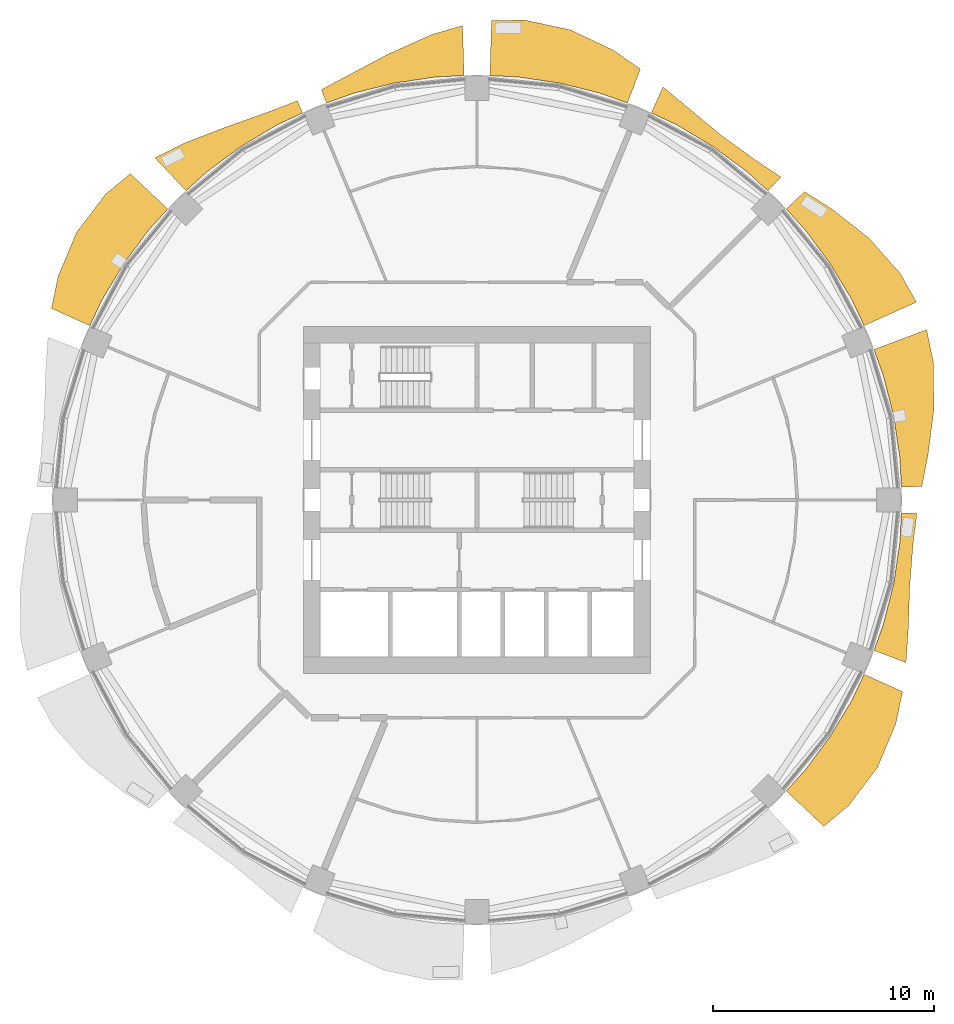
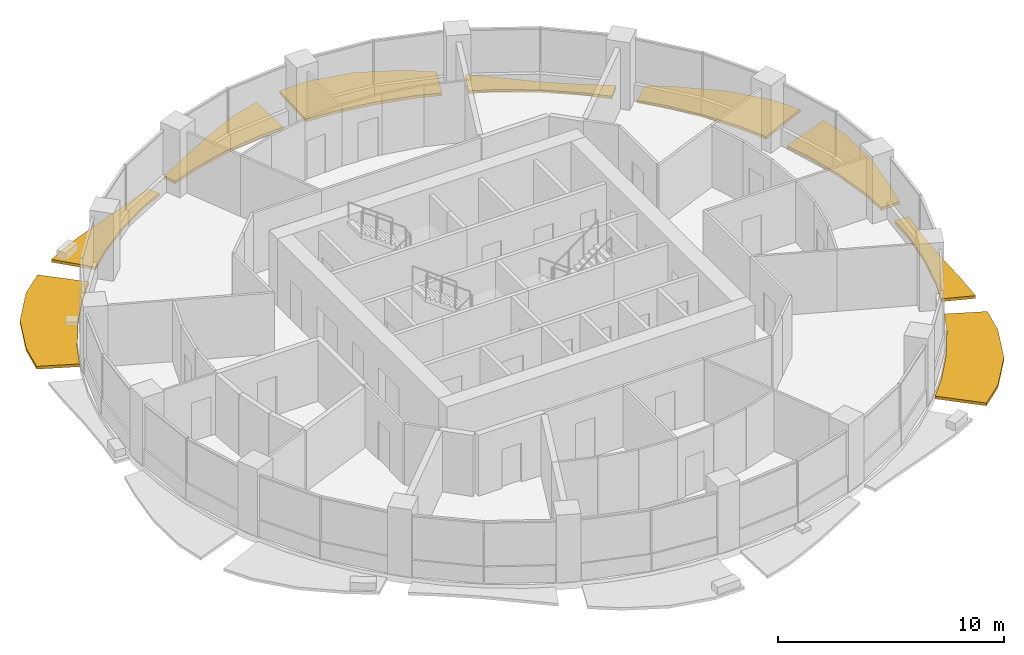
# One storey, part 13 of 14: 9 shading devices.
"""IFC4 building model written with IfcOpenShell, lengths in metres."""

import ifcopenshell
import ifcopenshell.guid

model = None  # the IFC model being written
_history = None  # IfcOwnerHistory: only IFC2X3 demands one
_inside = {}  # id of a spatial element -> (the spatial element, [elements in it])
_under = {}  # id of a project, library or spatial element -> (it, [spatial elements below it])
_declared = {}  # id of a project -> (the project, [libraries it declares])
_typed = {}  # id of a type object -> (the type object, [elements of that type])
_made_of = {}  # id of a material, layer set ... -> (it, [elements and type objects made of it])


def new_model(schema):
    """Start an empty IFC model of exactly this schema.

    Asked for "IFC4X3", IfcOpenShell would pick the latest addendum, in which some entities
    have other attributes; the version numbers below select the first issue.
    IFC2X3 requires an IfcOwnerHistory on every rooted entity: one is made here for all.
    """
    global model, _history
    if schema == "IFC4X3":
        model = ifcopenshell.file(schema_version=(4, 3, 0, 0))
    else:
        model = ifcopenshell.file(schema=schema)
    _inside.clear()
    _under.clear()
    _declared.clear()
    _typed.clear()
    _made_of.clear()
    _history = None
    if model.schema == "IFC2X3":
        org = make("IfcOrganization", Name="unknown")
        user = make(
            "IfcPersonAndOrganization",
            ThePerson=make("IfcPerson", FamilyName="unknown"),
            TheOrganization=org,
        )
        app = make(
            "IfcApplication",
            ApplicationDeveloper=org,
            Version="unknown",
            ApplicationFullName="unknown",
            ApplicationIdentifier="unknown",
        )
        _history = make(
            "IfcOwnerHistory",
            OwningUser=user,
            OwningApplication=app,
            ChangeAction="ADDED",
            CreationDate=0,
        )
    return model


def make(cls, **values):
    """One entity of the class cls with the attributes given. An attribute that is None is left unset."""
    return model.create_entity(
        cls, **{name: value for name, value in values.items() if value is not None}
    )


def rooted(cls, **values):
    """An entity with a GlobalId (a new one), such as an element, a storey or a relation."""
    return make(cls, GlobalId=ifcopenshell.guid.new(), OwnerHistory=_history, **values)


def si_unit(unit_type, name, prefix=None):
    """IfcSIUnit, for example si_unit("LENGTHUNIT", "METRE", prefix="MILLI")."""
    return make("IfcSIUnit", UnitType=unit_type, Prefix=prefix, Name=name)


def assignment(units):
    """IfcUnitAssignment: the units of a project."""
    return None if units is None else make("IfcUnitAssignment", Units=units)


def point(xyz):
    """IfcCartesianPoint."""
    return None if xyz is None else make("IfcCartesianPoint", Coordinates=xyz)


def direction(xyz):
    """IfcDirection."""
    return None if xyz is None else make("IfcDirection", DirectionRatios=xyz)


def frame(location, z_axis=None, x_axis=None):
    """IfcAxis2Placement3D, a coordinate frame: its origin and axes. An axis left out is left unset."""
    return make(
        "IfcAxis2Placement3D",
        Location=point(location),
        Axis=direction(z_axis),
        RefDirection=direction(x_axis),
    )


def origin():
    """The frame at (0, 0, 0) with its axes left unset."""
    return frame((0.0, 0.0, 0.0))


def place(relative_to, where):
    """IfcLocalPlacement: puts the frame where relative to a parent placement (None: the world)."""
    return make(
        "IfcLocalPlacement", PlacementRelTo=relative_to, RelativePlacement=where
    )


def context(
    kind, dimensions, precision=None, world=None, true_north=None, identifier=None
):
    """IfcGeometricRepresentationContext, for example the 3D "Model" context."""
    return make(
        "IfcGeometricRepresentationContext",
        ContextIdentifier=identifier,
        ContextType=kind,
        CoordinateSpaceDimension=dimensions,
        Precision=precision,
        WorldCoordinateSystem=world,
        TrueNorth=true_north,
    )


def subcontext(parent, identifier, kind, view, scale=None):
    """IfcGeometricRepresentationSubContext, for example "Body" below "Model"."""
    return make(
        "IfcGeometricRepresentationSubContext",
        ContextIdentifier=identifier,
        ContextType=kind,
        ParentContext=parent,
        TargetScale=scale,
        TargetView=view,
    )


def project(units=None, contexts=None):
    """IfcProject with its units and contexts."""
    return rooted(
        "IfcProject",
        Name="project",
        RepresentationContexts=contexts,
        UnitsInContext=assignment(units),
    )


def spatial(cls, under=None, at=None, **own):
    """A site, building, storey or space (cls), placed at a placement, below another one or the project."""
    s = rooted(cls, ObjectPlacement=at, **own)
    if under is not None:
        _under.setdefault(under.id(), (under, []))[1].append(s)
    return s


def polyline(points):
    """IfcPolyline through the points."""
    return make("IfcPolyline", Points=[point(p) for p in points])


def outline(outer, holes=None, kind="AREA"):
    """IfcArbitraryClosedProfileDef: a profile drawn as a closed curve; with holes, ...WithVoids."""
    if holes is None:
        return make("IfcArbitraryClosedProfileDef", ProfileType=kind, OuterCurve=outer)
    return make(
        "IfcArbitraryProfileDefWithVoids",
        ProfileType=kind,
        OuterCurve=outer,
        InnerCurves=holes,
    )


def extrude(swept, where, along, depth):
    """IfcExtrudedAreaSolid: the profile swept, set in the frame where, extruded along a direction by depth."""
    return make(
        "IfcExtrudedAreaSolid",
        SweptArea=swept,
        Position=where,
        ExtrudedDirection=direction(along),
        Depth=depth,
    )


def shape(context_of_items, identifier, shape_type, items):
    """IfcShapeRepresentation: the items that make up one representation, for example the "Body"."""
    return make(
        "IfcShapeRepresentation",
        ContextOfItems=context_of_items,
        RepresentationIdentifier=identifier,
        RepresentationType=shape_type,
        Items=items,
    )


def material(Name=None, Category=None):
    """IfcMaterial."""
    return make("IfcMaterial", Name=Name, Category=Category)


def made_of(thing, what):
    """Note that an element or type object is made of a material, layer set ...; save() writes the relation."""
    if what is not None:
        _made_of.setdefault(what.id(), (what, []))[1].append(thing)
    return thing


def type_object(cls, material=None, **own):
    """A type object (cls), such as IfcWallType, which elements share."""
    return made_of(rooted(cls, **own), material)


def element(
    cls,
    number,
    at=None,
    inside=None,
    cuts=None,
    type_object=None,
    material=None,
    context=None,
    identifier="Body",
    shape_type=None,
    held_by="IfcProductDefinitionShape",
    body=None,
    shapes=None,
    **own,
):
    """One element of the class cls, such as IfcWall. Its Tag is "e" and its number.

    at: its placement. inside: the storey or other place that contains it. cuts: it is an
    opening in that element (IfcRelVoidsElement). A single representation is given by context,
    identifier, shape_type and body (its items); several are given by shapes. held_by: the class
    of the entity that holds the representations. save() writes the other relations.
    """
    e = rooted(cls, Tag="e%d" % number, ObjectPlacement=at, **own)
    if body is not None:
        shapes = [shape(context, identifier, shape_type, body)]
    if shapes is not None:
        e.Representation = make(held_by, Representations=shapes)
    if inside is not None:
        _inside.setdefault(inside.id(), (inside, []))[1].append(e)
    if cuts is not None:
        rooted(
            "IfcRelVoidsElement", RelatingBuildingElement=cuts, RelatedOpeningElement=e
        )
    if type_object is not None:
        _typed.setdefault(type_object.id(), (type_object, []))[1].append(e)
    return made_of(e, material)


def aggregate(whole, parts):
    """IfcRelAggregates: a whole, such as a stair, and the parts it consists of."""
    return rooted("IfcRelAggregates", RelatingObject=whole, RelatedObjects=parts)


def save(model, path):
    """Write the relations noted so far, then the file.

    IfcRelAggregates (storeys below a building ...), IfcRelContainedInSpatialStructure (elements
    in a storey), IfcRelDefinesByType, IfcRelAssociatesMaterial and IfcRelDeclares: one each for
    every whole, place, type object, material and project.
    """
    for whole, parts in _under.values():
        aggregate(whole, parts)
    for where, things in _inside.values():
        rooted(
            "IfcRelContainedInSpatialStructure",
            RelatedElements=things,
            RelatingStructure=where,
        )
    for kind, things in _typed.values():
        rooted("IfcRelDefinesByType", RelatedObjects=things, RelatingType=kind)
    for what, things in _made_of.values():
        rooted("IfcRelAssociatesMaterial", RelatedObjects=things, RelatingMaterial=what)
    for by, libraries in _declared.values():
        rooted("IfcRelDeclares", RelatingContext=by, RelatedDefinitions=libraries)
    model.write(path)


model = new_model("IFC4")

# Units and contexts
model_context = context("Model", 3, precision=1e-05, world=origin(), true_north=direction((0.0, 1.0)))
body_context = subcontext(model_context, "Body", "Model", "MODEL_VIEW")
ifc_project = project(units=[si_unit("LENGTHUNIT", "METRE"), si_unit("AREAUNIT", "SQUARE_METRE"), si_unit("VOLUMEUNIT", "CUBIC_METRE"), si_unit("PLANEANGLEUNIT", "RADIAN"), si_unit("MASSUNIT", "GRAM", prefix="KILO")], contexts=[model_context])

# Site, building, storey
site_placement = place(None, origin())
site = spatial("IfcSite", under=ifc_project, at=site_placement, CompositionType="ELEMENT")
building_placement = place(site_placement, origin())
building = spatial("IfcBuilding", under=site, at=building_placement, Name="Polderwave Tower", CompositionType="ELEMENT")
storey_placement = place(building_placement, frame((0.0, 0.0, 101.949951171875)))
storey = spatial("IfcBuildingStorey", under=building, at=storey_placement, Name="L26", CompositionType="ELEMENT", Elevation=101.949951171875)

# Shading devices
ifc_material = material(Name="Terracotta", Category="masonry")
shading_device_type = type_object("IfcShadingDeviceType", Name="Terracotta sunshade band", PredefinedType="USERDEFINED", material=ifc_material)
shading_device_1_placement = place(storey_placement, frame((0.0, 0.0, -0.349853515625)))
element("IfcShadingDevice", 1, at=shading_device_1_placement, inside=storey, type_object=shading_device_type, Name="Sunshade band L26 1", ObjectType="SUNSHADE", PredefinedType="USERDEFINED", context=body_context, shape_type="SweptSolid", body=[
    extrude(outline(polyline([(19.2412109375, 0.583984375), (19.17724609375, 1.888916015625), (18.899658203125, 3.759521484375), (18.440185546875, 5.59375), (18.000244140625, 6.82373046875), (20.384765625, 7.727783203125), (20.6884765625, 6.27587890625), (20.719482421875, 4.121337890625), (20.4462890625, 2.013916015625), (20.168212890625, 0.6123046875), (19.2412109375, 0.583984375)])), origin(), (0.0, 0.0, 1.0), 0.14990234375),
])
shading_device_2_placement = place(storey_placement, frame((0.0, 0.0, -0.349853515625)))
element("IfcShadingDevice", 2, at=shading_device_2_placement, inside=storey, type_object=shading_device_type, Name="Sunshade band L26 2", ObjectType="SUNSHADE", PredefinedType="USERDEFINED", context=body_context, shape_type="SweptSolid", body=[
    extrude(outline(polyline([(17.552978515625, 7.90283203125), (16.99462890625, 9.083740234375), (16.0224609375, 10.705810546875), (14.89599609375, 12.224853515625), (14.0185546875, 13.192626953125), (14.854736328125, 13.9794921875), (16.0849609375, 13.20068359375), (17.77099609375, 11.874267578125), (19.197998046875, 10.26171875), (19.9228515625, 8.9697265625), (17.552978515625, 7.90283203125)])), origin(), (0.0, 0.0, 1.0), 0.14990234375),
])
shading_device_3_placement = place(storey_placement, frame((0.0, 0.0, -0.349853515625)))
element("IfcShadingDevice", 3, at=shading_device_3_placement, inside=storey, type_object=shading_device_type, Name="Sunshade band L26 3", ObjectType="SUNSHADE", PredefinedType="USERDEFINED", context=body_context, shape_type="SweptSolid", body=[
    extrude(outline(polyline([(13.192626953125, 14.0185546875), (12.224853515625, 14.89599609375), (10.705810546875, 16.0224609375), (9.083740234375, 16.99462890625), (7.90283203125, 17.552978515625), (8.431884765625, 18.728271484375), (9.52587890625, 17.82177734375), (11.0576171875, 16.548828125), (12.639892578125, 15.401611328125), (13.781982421875, 14.64501953125), (13.192626953125, 14.0185546875)])), origin(), (0.0, 0.0, 1.0), 0.14990234375),
])
shading_device_4_placement = place(storey_placement, frame((0.0, 0.0, -0.349853515625)))
element("IfcShadingDevice", 4, at=shading_device_4_placement, inside=storey, type_object=shading_device_type, Name="Sunshade band L26 4", ObjectType="SUNSHADE", PredefinedType="USERDEFINED", context=body_context, shape_type="SweptSolid", body=[
    extrude(outline(polyline([(6.82373046875, 18.000244140625), (5.59375, 18.440185546875), (3.759521484375, 18.899658203125), (1.888916015625, 19.17724609375), (0.583984375, 19.2412109375), (0.65966796875, 21.732421875), (2.143310546875, 21.7626953125), (4.239990234375, 21.316650390625), (6.185791015625, 20.3916015625), (7.40771484375, 19.540771484375), (6.82373046875, 18.000244140625)])), origin(), (0.0, 0.0, 1.0), 0.14990234375),
])
shading_device_5_placement = place(storey_placement, frame((0.0, 0.0, -0.349853515625)))
element("IfcShadingDevice", 5, at=shading_device_5_placement, inside=storey, type_object=shading_device_type, Name="Sunshade band L26 5", ObjectType="SUNSHADE", PredefinedType="USERDEFINED", context=body_context, shape_type="SweptSolid", body=[
    extrude(outline(polyline([(-0.583984375, 19.2412109375), (-1.888916015625, 19.17724609375), (-3.759521484375, 18.899658203125), (-5.59375, 18.440185546875), (-6.82373046875, 18.000244140625), (-7.05419921875, 18.607666015625), (-5.8408203125, 19.254150390625), (-4.021728515625, 20.218505859375), (-2.077392578125, 21.0927734375), (-0.653076171875, 21.512939453125), (-0.583984375, 19.2412109375)])), origin(), (0.0, 0.0, 1.0), 0.14990234375),
])
shading_device_6_placement = place(storey_placement, frame((0.0, 0.0, -0.349853515625)))
element("IfcShadingDevice", 6, at=shading_device_6_placement, inside=storey, type_object=shading_device_type, Name="Sunshade band L26 6", ObjectType="SUNSHADE", PredefinedType="USERDEFINED", context=body_context, shape_type="SweptSolid", body=[
    extrude(outline(polyline([(-7.90283203125, 17.552978515625), (-9.083740234375, 16.99462890625), (-10.705810546875, 16.0224609375), (-12.224853515625, 14.89599609375), (-13.192626953125, 14.0185546875), (-14.598876953125, 15.5126953125), (-13.279052734375, 16.180419921875), (-11.315185546875, 16.934326171875), (-9.41455078125, 17.61328125), (-8.149658203125, 18.101318359375), (-7.90283203125, 17.552978515625)])), origin(), (0.0, 0.0, 1.0), 0.14990234375),
])
shading_device_7_placement = place(storey_placement, frame((0.0, 0.0, -0.349853515625)))
element("IfcShadingDevice", 7, at=shading_device_7_placement, inside=storey, type_object=shading_device_type, Name="Sunshade band L26 7", ObjectType="SUNSHADE", PredefinedType="USERDEFINED", context=body_context, shape_type="SweptSolid", body=[
    extrude(outline(polyline([(-14.0185546875, 13.192626953125), (-14.89599609375, 12.224853515625), (-16.0224609375, 10.705810546875), (-16.99462890625, 9.083740234375), (-17.552978515625, 7.90283203125), (-19.2958984375, 8.6875), (-18.989501953125, 10.150146484375), (-18.15673828125, 12.1318359375), (-16.86376953125, 13.83984375), (-15.72265625, 14.79638671875), (-14.0185546875, 13.192626953125)])), origin(), (0.0, 0.0, 1.0), 0.14990234375),
])
shading_device_8_placement = place(storey_placement, frame((0.0, 0.0, -0.349853515625)))
element("IfcShadingDevice", 8, at=shading_device_8_placement, inside=storey, type_object=shading_device_type, Name="Sunshade band L26 15", ObjectType="SUNSHADE", PredefinedType="USERDEFINED", context=body_context, shape_type="SweptSolid", body=[
    extrude(outline(polyline([(14.0185546875, -13.192626953125), (14.89599609375, -12.224853515625), (16.0224609375, -10.705810546875), (16.99462890625, -9.083740234375), (17.552978515625, -7.90283203125), (19.2958984375, -8.6875), (18.989501953125, -10.150146484375), (18.15673828125, -12.1318359375), (16.86376953125, -13.83984375), (15.72265625, -14.79638671875), (14.0185546875, -13.192626953125)])), origin(), (0.0, 0.0, 1.0), 0.14990234375),
])
shading_device_9_placement = place(storey_placement, frame((0.0, 0.0, -0.349853515625)))
element("IfcShadingDevice", 9, at=shading_device_9_placement, inside=storey, type_object=shading_device_type, Name="Sunshade band L26 16", ObjectType="SUNSHADE", PredefinedType="USERDEFINED", context=body_context, shape_type="SweptSolid", body=[
    extrude(outline(polyline([(18.000244140625, -6.82373046875), (18.440185546875, -5.59375), (18.899658203125, -3.759521484375), (19.17724609375, -1.888916015625), (19.2412109375, -0.583984375), (19.948974609375, -0.60546875), (19.776123046875, -1.94775390625), (19.621337890625, -3.90283203125), (19.55126953125, -5.930908203125), (19.451904296875, -7.3740234375), (18.000244140625, -6.82373046875)])), origin(), (0.0, 0.0, 1.0), 0.14990234375),
])

save(model, "model.ifc")
